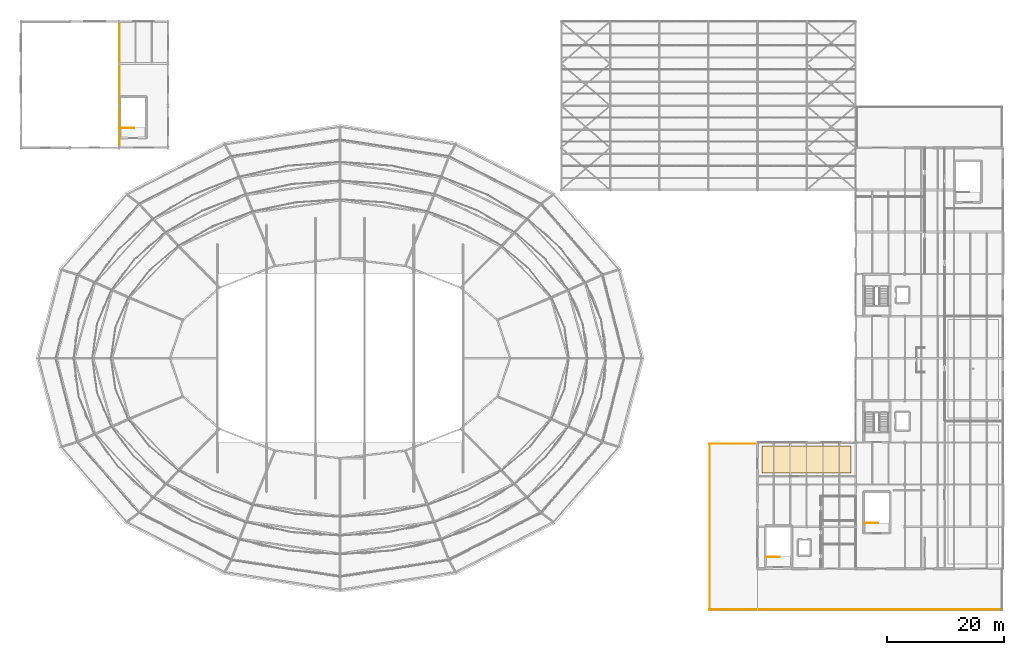
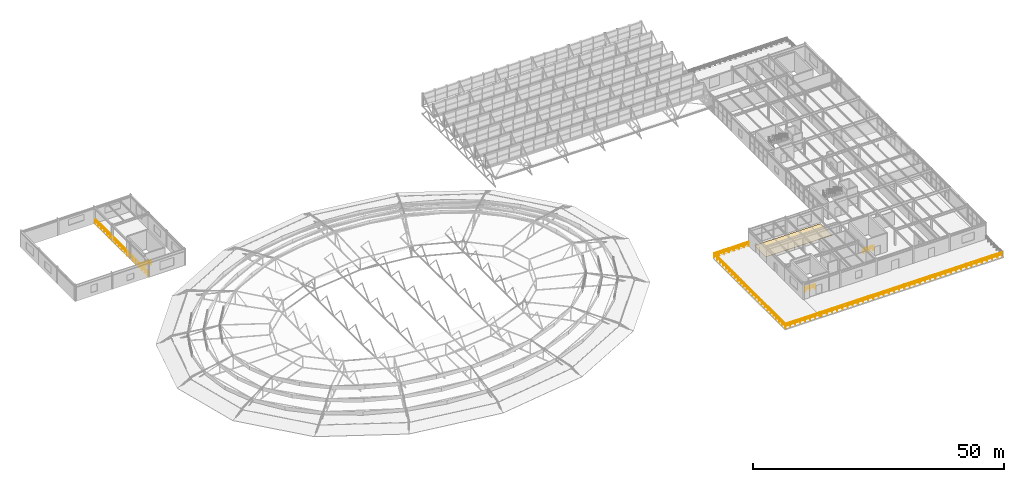
# One storey, part 133 of 134: 8 railings, 1 covering.
"""IFC4 building model written with IfcOpenShell, lengths in metres."""

from ifc_helpers import new_model, si_unit, derived_unit, direction, frame, origin, origin_2d, place, context, subcontext, project, spatial, polyline, circle, outline, extrude, material, layer, layer_set, type_object, element, save


model = new_model("IFC4")

# Units and contexts
model_context = context("Model", 3, precision=1e-05, world=origin(), true_north=direction((0.0, 1.0)))
body_context = subcontext(model_context, "Body", "Model", "MODEL_VIEW")
ifc_project = project(units=[si_unit("LENGTHUNIT", "METRE"), si_unit("AREAUNIT", "SQUARE_METRE"), si_unit("VOLUMEUNIT", "CUBIC_METRE"), si_unit("PLANEANGLEUNIT", "RADIAN"), si_unit("MASSUNIT", "GRAM", prefix="KILO"), derived_unit("THERMALTRANSMITTANCEUNIT", [(si_unit("MASSUNIT", "GRAM", prefix="KILO"), 1), (si_unit("TIMEUNIT", "SECOND"), -3), (si_unit("THERMODYNAMICTEMPERATUREUNIT", "KELVIN"), -1)])], contexts=[model_context])

# Site, building, storey
site_placement = place(None, origin())
site = spatial("IfcSite", under=ifc_project, at=site_placement, CompositionType="ELEMENT")
building_placement = place(site_placement, origin())
building = spatial("IfcBuilding", under=site, at=building_placement, Name="Kharveza Railside Sports Centre", CompositionType="ELEMENT")
storey_placement = place(building_placement, frame((0.0, 0.0, 12.89990234375)))
storey = spatial("IfcBuildingStorey", under=building, at=storey_placement, Name="L03", CompositionType="ELEMENT", Elevation=12.89990234375)

# Covering
ifc_material_1 = material(Name="Sprung maple sports flooring")
ifc_layer = layer(ifc_material_1, 0.044921875, Name="Sprung maple sports flooring")
ifc_layer_set = layer_set([ifc_layer], Name="Sprung maple sports flooring")
covering_type = type_object("IfcCoveringType", Name="CV-FL01", PredefinedType="FLOORING", material=ifc_layer_set)
covering_placement = place(storey_placement, origin())
element("IfcCovering", 1, at=covering_placement, inside=storey, type_object=covering_type, Name="COV-FL-MART", PredefinedType="FLOORING", context=body_context, shape_type="SweptSolid", body=[
    extrude(outline(polyline([(126.800048828125, 35.39990234375), (142.0, 35.39990234375), (142.0, 30.800048828125), (126.800048828125, 30.800048828125), (126.800048828125, 35.39990234375)])), origin(), (0.0, 0.0, 1.0), 0.045166015625),
])

# Railings
ifc_material_2 = material(Name="Steel S275JR", Category="steel")
railing_type = type_object("IfcRailingType", Name="RL-GD110", PredefinedType="GUARDRAIL", material=ifc_material_2)
railing_1_placement = place(storey_placement, frame((125.800048828125, 35.780029296875, 0.0)))
element("IfcRailing", 2, at=railing_1_placement, inside=storey, type_object=railing_type, Name="RL-TERR-L03-01", PredefinedType="GUARDRAIL", context=body_context, shape_type="SweptSolid", body=[
    extrude(circle(Radius=0.02392578125, at=origin_2d()), frame((0.0, 0.0, 1.09619140625), z_axis=(-1.0, 0.0, 0.0), x_axis=(0.0, -1.0, 0.0)), (0.0, 0.0, 1.0), 8.0),
    extrude(circle(Radius=0.01611328125, at=origin_2d()), frame((0.0, 0.0, 0.56005859375), z_axis=(-1.0, 0.0, 0.0), x_axis=(0.0, -1.0, 0.0)), (0.0, 0.0, 1.0), 8.0),
    extrude(circle(Radius=0.02099609375, at=origin_2d()), origin(), (0.0, 0.0, 1.0), 1.072021484375),
    extrude(circle(Radius=0.02099609375, at=origin_2d()), frame((-1.142822265625, 0.0, 0.0)), (0.0, 0.0, 1.0), 1.072021484375),
    extrude(circle(Radius=0.02099609375, at=origin_2d()), frame((-2.28564453125, 0.0, 0.0)), (0.0, 0.0, 1.0), 1.072021484375),
    extrude(circle(Radius=0.02099609375, at=origin_2d()), frame((-3.428466796875, 0.0, 0.0)), (0.0, 0.0, 1.0), 1.072021484375),
    extrude(circle(Radius=0.02099609375, at=origin_2d()), frame((-4.571533203125, 0.0, 0.0)), (0.0, 0.0, 1.0), 1.072021484375),
    extrude(circle(Radius=0.02099609375, at=origin_2d()), frame((-5.71435546875, 0.0, 0.0)), (0.0, 0.0, 1.0), 1.072021484375),
    extrude(circle(Radius=0.02099609375, at=origin_2d()), frame((-6.857177734375, 0.0, 0.0)), (0.0, 0.0, 1.0), 1.072021484375),
    extrude(circle(Radius=0.02099609375, at=origin_2d()), frame((-8.0, 0.0, 0.0)), (0.0, 0.0, 1.0), 1.072021484375),
])
railing_2_placement = place(storey_placement, frame((117.820068359375, 35.800048828125, 0.0)))
element("IfcRailing", 3, at=railing_2_placement, inside=storey, type_object=railing_type, Name="RL-TERR-L03-02", PredefinedType="GUARDRAIL", context=body_context, shape_type="SweptSolid", body=[
    extrude(circle(Radius=0.02392578125, at=origin_2d()), frame((0.0, 0.0, 1.09619140625), z_axis=(0.0, -1.0, 0.0), x_axis=(1.0, 0.0, 0.0)), (0.0, 0.0, 1.0), 28.400146484375),
    extrude(circle(Radius=0.01611328125, at=origin_2d()), frame((0.0, 0.0, 0.56005859375), z_axis=(0.0, -1.0, 0.0), x_axis=(1.0, 0.0, 0.0)), (0.0, 0.0, 1.0), 28.400146484375),
    extrude(circle(Radius=0.02099609375, at=origin_2d()), origin(), (0.0, 0.0, 1.0), 1.072021484375),
    extrude(circle(Radius=0.02099609375, at=origin_2d()), frame((0.0, -1.183349609375, 0.0)), (0.0, 0.0, 1.0), 1.072021484375),
    extrude(circle(Radius=0.02099609375, at=origin_2d()), frame((0.0, -2.36669921875, 0.0)), (0.0, 0.0, 1.0), 1.072021484375),
    extrude(circle(Radius=0.02099609375, at=origin_2d()), frame((0.0, -3.550048828125, 0.0)), (0.0, 0.0, 1.0), 1.072021484375),
    extrude(circle(Radius=0.02099609375, at=origin_2d()), frame((0.0, -4.7333984375, 0.0)), (0.0, 0.0, 1.0), 1.072021484375),
    extrude(circle(Radius=0.02099609375, at=origin_2d()), frame((0.0, -5.916748046875, 0.0)), (0.0, 0.0, 1.0), 1.072021484375),
    extrude(circle(Radius=0.02099609375, at=origin_2d()), frame((0.0, -7.10009765625, 0.0)), (0.0, 0.0, 1.0), 1.072021484375),
    extrude(circle(Radius=0.02099609375, at=origin_2d()), frame((0.0, -8.283447265625, 0.0)), (0.0, 0.0, 1.0), 1.072021484375),
    extrude(circle(Radius=0.02099609375, at=origin_2d()), frame((0.0, -9.466796875, 0.0)), (0.0, 0.0, 1.0), 1.072021484375),
    extrude(circle(Radius=0.02099609375, at=origin_2d()), frame((0.0, -10.650146484375, 0.0)), (0.0, 0.0, 1.0), 1.072021484375),
    extrude(circle(Radius=0.02099609375, at=origin_2d()), frame((0.0, -11.83349609375, 0.0)), (0.0, 0.0, 1.0), 1.072021484375),
    extrude(circle(Radius=0.02099609375, at=origin_2d()), frame((0.0, -13.016845703125, 0.0)), (0.0, 0.0, 1.0), 1.072021484375),
    extrude(circle(Radius=0.02099609375, at=origin_2d()), frame((0.0, -14.2001953125, 0.0)), (0.0, 0.0, 1.0), 1.072021484375),
    extrude(circle(Radius=0.02099609375, at=origin_2d()), frame((0.0, -15.38330078125, 0.0)), (0.0, 0.0, 1.0), 1.072021484375),
    extrude(circle(Radius=0.02099609375, at=origin_2d()), frame((0.0, -16.566650390625, 0.0)), (0.0, 0.0, 1.0), 1.072021484375),
    extrude(circle(Radius=0.02099609375, at=origin_2d()), frame((0.0, -17.75, 0.0)), (0.0, 0.0, 1.0), 1.072021484375),
    extrude(circle(Radius=0.02099609375, at=origin_2d()), frame((0.0, -18.933349609375, 0.0)), (0.0, 0.0, 1.0), 1.072021484375),
    extrude(circle(Radius=0.02099609375, at=origin_2d()), frame((0.0, -20.11669921875, 0.0)), (0.0, 0.0, 1.0), 1.072021484375),
    extrude(circle(Radius=0.02099609375, at=origin_2d()), frame((0.0, -21.300048828125, 0.0)), (0.0, 0.0, 1.0), 1.072021484375),
    extrude(circle(Radius=0.02099609375, at=origin_2d()), frame((0.0, -22.4833984375, 0.0)), (0.0, 0.0, 1.0), 1.072021484375),
    extrude(circle(Radius=0.02099609375, at=origin_2d()), frame((0.0, -23.666748046875, 0.0)), (0.0, 0.0, 1.0), 1.072021484375),
    extrude(circle(Radius=0.02099609375, at=origin_2d()), frame((0.0, -24.85009765625, 0.0)), (0.0, 0.0, 1.0), 1.072021484375),
    extrude(circle(Radius=0.02099609375, at=origin_2d()), frame((0.0, -26.033447265625, 0.0)), (0.0, 0.0, 1.0), 1.072021484375),
    extrude(circle(Radius=0.02099609375, at=origin_2d()), frame((0.0, -27.216796875, 0.0)), (0.0, 0.0, 1.0), 1.072021484375),
    extrude(circle(Radius=0.02099609375, at=origin_2d()), frame((0.0, -28.400146484375, 0.0)), (0.0, 0.0, 1.0), 1.072021484375),
])
railing_3_placement = place(storey_placement, frame((117.800048828125, 7.419921875, 0.0)))
element("IfcRailing", 4, at=railing_3_placement, inside=storey, type_object=railing_type, Name="RL-TERR-L03-03", PredefinedType="GUARDRAIL", context=body_context, shape_type="SweptSolid", body=[
    extrude(circle(Radius=0.02392578125, at=origin_2d()), frame((0.0, 0.0, 1.09619140625), z_axis=(1.0, 0.0, 0.0), x_axis=(0.0, 1.0, 0.0)), (0.0, 0.0, 1.0), 8.0),
    extrude(circle(Radius=0.01611328125, at=origin_2d()), frame((0.0, 0.0, 0.56005859375), z_axis=(1.0, 0.0, 0.0), x_axis=(0.0, 1.0, 0.0)), (0.0, 0.0, 1.0), 8.0),
    extrude(circle(Radius=0.02099609375, at=origin_2d()), origin(), (0.0, 0.0, 1.0), 1.072021484375),
    extrude(circle(Radius=0.02099609375, at=origin_2d()), frame((1.142822265625, 0.0, 0.0)), (0.0, 0.0, 1.0), 1.072021484375),
    extrude(circle(Radius=0.02099609375, at=origin_2d()), frame((2.28564453125, 0.0, 0.0)), (0.0, 0.0, 1.0), 1.072021484375),
    extrude(circle(Radius=0.02099609375, at=origin_2d()), frame((3.428466796875, 0.0, 0.0)), (0.0, 0.0, 1.0), 1.072021484375),
    extrude(circle(Radius=0.02099609375, at=origin_2d()), frame((4.571533203125, 0.0, 0.0)), (0.0, 0.0, 1.0), 1.072021484375),
    extrude(circle(Radius=0.02099609375, at=origin_2d()), frame((5.71435546875, 0.0, 0.0)), (0.0, 0.0, 1.0), 1.072021484375),
    extrude(circle(Radius=0.02099609375, at=origin_2d()), frame((6.857177734375, 0.0, 0.0)), (0.0, 0.0, 1.0), 1.072021484375),
    extrude(circle(Radius=0.02099609375, at=origin_2d()), frame((8.0, 0.0, 0.0)), (0.0, 0.0, 1.0), 1.072021484375),
])
railing_4_placement = place(storey_placement, frame((126.199951171875, 7.419921875, 0.0)))
element("IfcRailing", 5, at=railing_4_placement, inside=storey, type_object=railing_type, Name="RL-TERR-L03-04", PredefinedType="GUARDRAIL", context=body_context, shape_type="SweptSolid", body=[
    extrude(circle(Radius=0.02392578125, at=origin_2d()), frame((0.0, 0.0, 1.09619140625), z_axis=(1.0, 0.0, 0.0), x_axis=(0.0, 1.0, 0.0)), (0.0, 0.0, 1.0), 41.60009765625),
    extrude(circle(Radius=0.01611328125, at=origin_2d()), frame((0.0, 0.0, 0.56005859375), z_axis=(1.0, 0.0, 0.0), x_axis=(0.0, 1.0, 0.0)), (0.0, 0.0, 1.0), 41.60009765625),
    extrude(circle(Radius=0.02099609375, at=origin_2d()), origin(), (0.0, 0.0, 1.0), 1.072021484375),
    extrude(circle(Radius=0.02099609375, at=origin_2d()), frame((1.1884765625, 0.0, 0.0)), (0.0, 0.0, 1.0), 1.072021484375),
    extrude(circle(Radius=0.02099609375, at=origin_2d()), frame((2.377197265625, 0.0, 0.0)), (0.0, 0.0, 1.0), 1.072021484375),
    extrude(circle(Radius=0.02099609375, at=origin_2d()), frame((3.565673828125, 0.0, 0.0)), (0.0, 0.0, 1.0), 1.072021484375),
    extrude(circle(Radius=0.02099609375, at=origin_2d()), frame((4.75439453125, 0.0, 0.0)), (0.0, 0.0, 1.0), 1.072021484375),
    extrude(circle(Radius=0.02099609375, at=origin_2d()), frame((5.94287109375, 0.0, 0.0)), (0.0, 0.0, 1.0), 1.072021484375),
    extrude(circle(Radius=0.02099609375, at=origin_2d()), frame((7.13134765625, 0.0, 0.0)), (0.0, 0.0, 1.0), 1.072021484375),
    extrude(circle(Radius=0.02099609375, at=origin_2d()), frame((8.320068359375, 0.0, 0.0)), (0.0, 0.0, 1.0), 1.072021484375),
    extrude(circle(Radius=0.02099609375, at=origin_2d()), frame((9.508544921875, 0.0, 0.0)), (0.0, 0.0, 1.0), 1.072021484375),
    extrude(circle(Radius=0.02099609375, at=origin_2d()), frame((10.697265625, 0.0, 0.0)), (0.0, 0.0, 1.0), 1.072021484375),
    extrude(circle(Radius=0.02099609375, at=origin_2d()), frame((11.8857421875, 0.0, 0.0)), (0.0, 0.0, 1.0), 1.072021484375),
    extrude(circle(Radius=0.02099609375, at=origin_2d()), frame((13.07421875, 0.0, 0.0)), (0.0, 0.0, 1.0), 1.072021484375),
    extrude(circle(Radius=0.02099609375, at=origin_2d()), frame((14.262939453125, 0.0, 0.0)), (0.0, 0.0, 1.0), 1.072021484375),
    extrude(circle(Radius=0.02099609375, at=origin_2d()), frame((15.451416015625, 0.0, 0.0)), (0.0, 0.0, 1.0), 1.072021484375),
    extrude(circle(Radius=0.02099609375, at=origin_2d()), frame((16.64013671875, 0.0, 0.0)), (0.0, 0.0, 1.0), 1.072021484375),
    extrude(circle(Radius=0.02099609375, at=origin_2d()), frame((17.82861328125, 0.0, 0.0)), (0.0, 0.0, 1.0), 1.072021484375),
    extrude(circle(Radius=0.02099609375, at=origin_2d()), frame((19.01708984375, 0.0, 0.0)), (0.0, 0.0, 1.0), 1.072021484375),
    extrude(circle(Radius=0.02099609375, at=origin_2d()), frame((20.205810546875, 0.0, 0.0)), (0.0, 0.0, 1.0), 1.072021484375),
    extrude(circle(Radius=0.02099609375, at=origin_2d()), frame((21.394287109375, 0.0, 0.0)), (0.0, 0.0, 1.0), 1.072021484375),
    extrude(circle(Radius=0.02099609375, at=origin_2d()), frame((22.5830078125, 0.0, 0.0)), (0.0, 0.0, 1.0), 1.072021484375),
    extrude(circle(Radius=0.02099609375, at=origin_2d()), frame((23.771484375, 0.0, 0.0)), (0.0, 0.0, 1.0), 1.072021484375),
    extrude(circle(Radius=0.02099609375, at=origin_2d()), frame((24.9599609375, 0.0, 0.0)), (0.0, 0.0, 1.0), 1.072021484375),
    extrude(circle(Radius=0.02099609375, at=origin_2d()), frame((26.148681640625, 0.0, 0.0)), (0.0, 0.0, 1.0), 1.072021484375),
    extrude(circle(Radius=0.02099609375, at=origin_2d()), frame((27.337158203125, 0.0, 0.0)), (0.0, 0.0, 1.0), 1.072021484375),
    extrude(circle(Radius=0.02099609375, at=origin_2d()), frame((28.52587890625, 0.0, 0.0)), (0.0, 0.0, 1.0), 1.072021484375),
    extrude(circle(Radius=0.02099609375, at=origin_2d()), frame((29.71435546875, 0.0, 0.0)), (0.0, 0.0, 1.0), 1.072021484375),
    extrude(circle(Radius=0.02099609375, at=origin_2d()), frame((30.90283203125, 0.0, 0.0)), (0.0, 0.0, 1.0), 1.072021484375),
    extrude(circle(Radius=0.02099609375, at=origin_2d()), frame((32.091552734375, 0.0, 0.0)), (0.0, 0.0, 1.0), 1.072021484375),
    extrude(circle(Radius=0.02099609375, at=origin_2d()), frame((33.280029296875, 0.0, 0.0)), (0.0, 0.0, 1.0), 1.072021484375),
    extrude(circle(Radius=0.02099609375, at=origin_2d()), frame((34.46875, 0.0, 0.0)), (0.0, 0.0, 1.0), 1.072021484375),
    extrude(circle(Radius=0.02099609375, at=origin_2d()), frame((35.6572265625, 0.0, 0.0)), (0.0, 0.0, 1.0), 1.072021484375),
    extrude(circle(Radius=0.02099609375, at=origin_2d()), frame((36.845703125, 0.0, 0.0)), (0.0, 0.0, 1.0), 1.072021484375),
    extrude(circle(Radius=0.02099609375, at=origin_2d()), frame((38.034423828125, 0.0, 0.0)), (0.0, 0.0, 1.0), 1.072021484375),
    extrude(circle(Radius=0.02099609375, at=origin_2d()), frame((39.222900390625, 0.0, 0.0)), (0.0, 0.0, 1.0), 1.072021484375),
    extrude(circle(Radius=0.02099609375, at=origin_2d()), frame((40.41162109375, 0.0, 0.0)), (0.0, 0.0, 1.0), 1.072021484375),
    extrude(circle(Radius=0.02099609375, at=origin_2d()), frame((41.60009765625, 0.0, 0.0)), (0.0, 0.0, 1.0), 1.072021484375),
])
railing_5_placement = place(storey_placement, frame((127.60009765625, 16.39990234375, 0.0)))
element("IfcRailing", 6, at=railing_5_placement, inside=storey, type_object=railing_type, Name="RL-STTOP-ST3-L03", PredefinedType="GUARDRAIL", context=body_context, shape_type="SweptSolid", body=[
    extrude(circle(Radius=0.02392578125, at=origin_2d()), frame((0.0, 0.0, 1.09619140625), z_axis=(1.0, 0.0, 0.0), x_axis=(0.0, 1.0, 0.0)), (0.0, 0.0, 1.0), 2.199951171875),
    extrude(circle(Radius=0.01611328125, at=origin_2d()), frame((0.0, 0.0, 0.56005859375), z_axis=(1.0, 0.0, 0.0), x_axis=(0.0, 1.0, 0.0)), (0.0, 0.0, 1.0), 2.199951171875),
    extrude(circle(Radius=0.02099609375, at=origin_2d()), origin(), (0.0, 0.0, 1.0), 1.072021484375),
    extrude(circle(Radius=0.02099609375, at=origin_2d()), frame((1.10009765625, 0.0, 0.0)), (0.0, 0.0, 1.0), 1.072021484375),
    extrude(circle(Radius=0.02099609375, at=origin_2d()), frame((2.199951171875, 0.0, 0.0)), (0.0, 0.0, 1.0), 1.072021484375),
])
railing_6_placement = place(storey_placement, frame((144.39990234375, 22.199951171875, 0.0)))
element("IfcRailing", 7, at=railing_6_placement, inside=storey, type_object=railing_type, Name="RL-STTOP-ST5-L03", PredefinedType="GUARDRAIL", context=body_context, shape_type="SweptSolid", body=[
    extrude(circle(Radius=0.02392578125, at=origin_2d()), frame((0.0, 0.0, 1.09619140625), z_axis=(1.0, 0.0, 0.0), x_axis=(0.0, 1.0, 0.0)), (0.0, 0.0, 1.0), 2.2001953125),
    extrude(circle(Radius=0.01611328125, at=origin_2d()), frame((0.0, 0.0, 0.56005859375), z_axis=(1.0, 0.0, 0.0), x_axis=(0.0, 1.0, 0.0)), (0.0, 0.0, 1.0), 2.2001953125),
    extrude(circle(Radius=0.02099609375, at=origin_2d()), origin(), (0.0, 0.0, 1.0), 1.072021484375),
    extrude(circle(Radius=0.02099609375, at=origin_2d()), frame((1.10009765625, 0.0, 0.0)), (0.0, 0.0, 1.0), 1.072021484375),
    extrude(circle(Radius=0.02099609375, at=origin_2d()), frame((2.2001953125, 0.0, 0.0)), (0.0, 0.0, 1.0), 1.072021484375),
])
railing_7_placement = place(storey_placement, frame((17.199951171875, 89.800048828125, 0.0)))
element("IfcRailing", 8, at=railing_7_placement, inside=storey, type_object=railing_type, Name="RL-STTOP-ST6-L03", PredefinedType="GUARDRAIL", context=body_context, shape_type="SweptSolid", body=[
    extrude(circle(Radius=0.02392578125, at=origin_2d()), frame((0.0, 0.0, 1.09619140625), z_axis=(1.0, 0.0, 0.0), x_axis=(0.0, 1.0, 0.0)), (0.0, 0.0, 1.0), 2.199951171875),
    extrude(circle(Radius=0.01611328125, at=origin_2d()), frame((0.0, 0.0, 0.56005859375), z_axis=(1.0, 0.0, 0.0), x_axis=(0.0, 1.0, 0.0)), (0.0, 0.0, 1.0), 2.199951171875),
    extrude(circle(Radius=0.02099609375, at=origin_2d()), origin(), (0.0, 0.0, 1.0), 1.072021484375),
    extrude(circle(Radius=0.02099609375, at=origin_2d()), frame((1.10009765625, 0.0, 0.0)), (0.0, 0.0, 1.0), 1.072021484375),
    extrude(circle(Radius=0.02099609375, at=origin_2d()), frame((2.199951171875, 0.0, 0.0)), (0.0, 0.0, 1.0), 1.072021484375),
])
railing_8_placement = place(storey_placement, frame((16.919921875, 86.800048828125, 0.0)))
element("IfcRailing", 9, at=railing_8_placement, inside=storey, type_object=railing_type, Name="RL-CLIMB-GAL-L03", PredefinedType="GUARDRAIL", context=body_context, shape_type="SweptSolid", body=[
    extrude(circle(Radius=0.02392578125, at=origin_2d()), frame((0.0, 0.0, 1.09619140625), z_axis=(0.0, 1.0, 0.0), x_axis=(-1.0, 0.0, 0.0)), (0.0, 0.0, 1.0), 20.89990234375),
    extrude(circle(Radius=0.01611328125, at=origin_2d()), frame((0.0, 0.0, 0.56005859375), z_axis=(0.0, 1.0, 0.0), x_axis=(-1.0, 0.0, 0.0)), (0.0, 0.0, 1.0), 20.89990234375),
    extrude(circle(Radius=0.02099609375, at=origin_2d()), origin(), (0.0, 0.0, 1.0), 1.072021484375),
    extrude(circle(Radius=0.02099609375, at=origin_2d()), frame((0.0, 1.1611328125, 0.0)), (0.0, 0.0, 1.0), 1.072021484375),
    extrude(circle(Radius=0.02099609375, at=origin_2d()), frame((0.0, 2.322265625, 0.0)), (0.0, 0.0, 1.0), 1.072021484375),
    extrude(circle(Radius=0.02099609375, at=origin_2d()), frame((0.0, 3.4833984375, 0.0)), (0.0, 0.0, 1.0), 1.072021484375),
    extrude(circle(Radius=0.02099609375, at=origin_2d()), frame((0.0, 4.64453125, 0.0)), (0.0, 0.0, 1.0), 1.072021484375),
    extrude(circle(Radius=0.02099609375, at=origin_2d()), frame((0.0, 5.805419921875, 0.0)), (0.0, 0.0, 1.0), 1.072021484375),
    extrude(circle(Radius=0.02099609375, at=origin_2d()), frame((0.0, 6.966552734375, 0.0)), (0.0, 0.0, 1.0), 1.072021484375),
    extrude(circle(Radius=0.02099609375, at=origin_2d()), frame((0.0, 8.127685546875, 0.0)), (0.0, 0.0, 1.0), 1.072021484375),
    extrude(circle(Radius=0.02099609375, at=origin_2d()), frame((0.0, 9.288818359375, 0.0)), (0.0, 0.0, 1.0), 1.072021484375),
    extrude(circle(Radius=0.02099609375, at=origin_2d()), frame((0.0, 10.449951171875, 0.0)), (0.0, 0.0, 1.0), 1.072021484375),
    extrude(circle(Radius=0.02099609375, at=origin_2d()), frame((0.0, 11.611083984375, 0.0)), (0.0, 0.0, 1.0), 1.072021484375),
    extrude(circle(Radius=0.02099609375, at=origin_2d()), frame((0.0, 12.772216796875, 0.0)), (0.0, 0.0, 1.0), 1.072021484375),
    extrude(circle(Radius=0.02099609375, at=origin_2d()), frame((0.0, 13.933349609375, 0.0)), (0.0, 0.0, 1.0), 1.072021484375),
    extrude(circle(Radius=0.02099609375, at=origin_2d()), frame((0.0, 15.094482421875, 0.0)), (0.0, 0.0, 1.0), 1.072021484375),
    extrude(circle(Radius=0.02099609375, at=origin_2d()), frame((0.0, 16.25537109375, 0.0)), (0.0, 0.0, 1.0), 1.072021484375),
    extrude(circle(Radius=0.02099609375, at=origin_2d()), frame((0.0, 17.41650390625, 0.0)), (0.0, 0.0, 1.0), 1.072021484375),
    extrude(circle(Radius=0.02099609375, at=origin_2d()), frame((0.0, 18.57763671875, 0.0)), (0.0, 0.0, 1.0), 1.072021484375),
    extrude(circle(Radius=0.02099609375, at=origin_2d()), frame((0.0, 19.73876953125, 0.0)), (0.0, 0.0, 1.0), 1.072021484375),
    extrude(circle(Radius=0.02099609375, at=origin_2d()), frame((0.0, 20.89990234375, 0.0)), (0.0, 0.0, 1.0), 1.072021484375),
])

save(model, "model.ifc")
